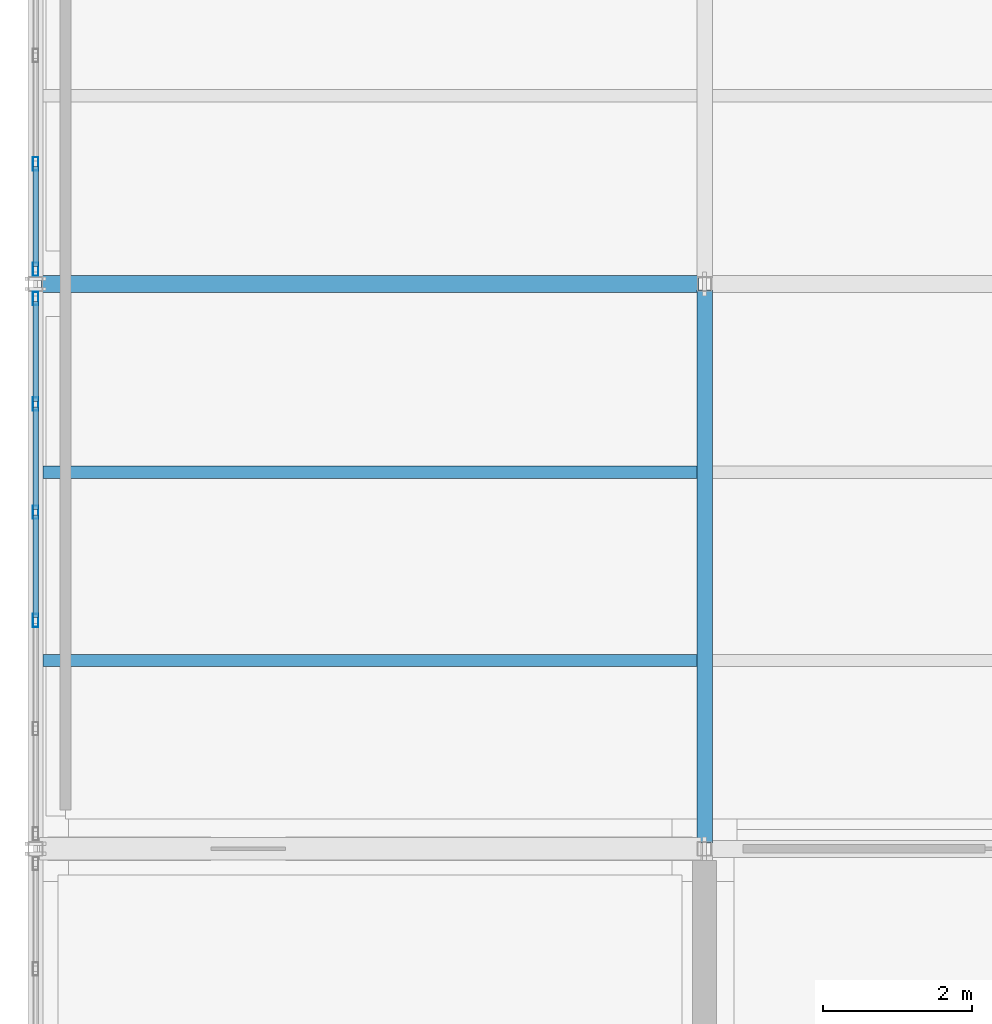
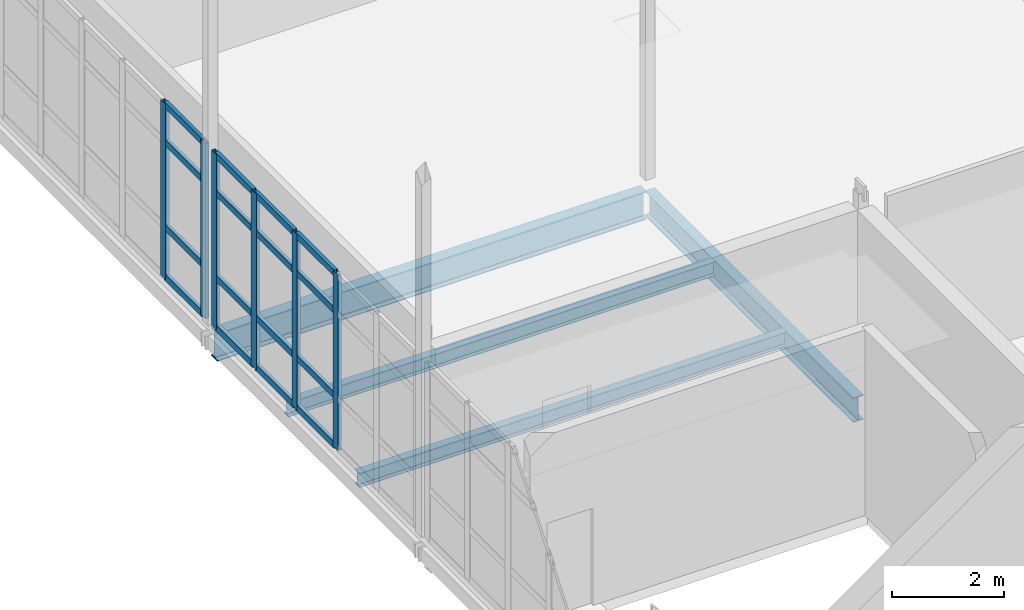
# One storey, part 20 of 96: 22 members, 4 beams, 2 elements without a shape of their own.
"""IFC4 building model written with IfcOpenShell, lengths in metres."""

from ifc_helpers import new_model, si_unit, direction, frame, origin, origin_2d, place, context, subcontext, project, spatial, hollow_rectangle, i_section, extrude, material, material_profile, profile_set, type_object, element, aggregate, save


model = new_model("IFC4")

# Units and contexts
model_context = context("Model", 3, precision=1e-05, world=origin(), true_north=direction((0.0, 1.0)))
body_context = subcontext(model_context, "Body", "Model", "MODEL_VIEW")
ifc_project = project(units=[si_unit("LENGTHUNIT", "METRE"), si_unit("AREAUNIT", "SQUARE_METRE"), si_unit("VOLUMEUNIT", "CUBIC_METRE"), si_unit("PLANEANGLEUNIT", "RADIAN"), si_unit("MASSUNIT", "GRAM", prefix="KILO")], contexts=[model_context])

# Site, building, storey
site_placement = place(None, origin())
site = spatial("IfcSite", under=ifc_project, at=site_placement, CompositionType="ELEMENT")
building_placement = place(site_placement, origin())
building = spatial("IfcBuilding", under=site, at=building_placement, Name="Caisbarro Railhouse Central Library", CompositionType="ELEMENT")
storey_placement = place(building_placement, frame((0.0, 0.0, 13.679931640625)))
storey = spatial("IfcBuildingStorey", under=building, at=storey_placement, Name="L03", CompositionType="ELEMENT", Elevation=13.679931640625)

# Beams
ifc_material_1 = material(Name="Steel ASTM A572 Grade 50", Category="steel")
ifc_material_profile_1 = material_profile(ifc_material_1, i_section(OverallWidth=0.22802734375, OverallDepth=0.60791015625, WebThickness=0.01123046875, FlangeThickness=0.017333984375, FilletRadius=0.02197265625, at=origin_2d()), Name="W610X113.0")
ifc_profile_set_1 = profile_set([ifc_material_profile_1], Name="Steel ASTM A572 Grade 50")
beam_type_1 = type_object("IfcBeamType", Name="BM-G04", PredefinedType="BEAM", material=ifc_profile_set_1)
beam_1_placement = place(storey_placement, frame((0.080078125, 45.60009765625, -0.52392578125), z_axis=(1.0, 0.0, 0.0), x_axis=(0.0, 1.0, 0.0)))
element("IfcBeam", 1, at=beam_1_placement, inside=storey, type_object=beam_type_1, Name="G04 beam L03 #1832", PredefinedType="BEAM", context=body_context, shape_type="SweptSolid", body=[
    extrude(i_section(OverallWidth=0.22802734375, OverallDepth=0.60791015625, WebThickness=0.01123046875, FlangeThickness=0.017333984375, FilletRadius=0.02197265625, at=origin_2d()), origin(), (0.0, 0.0, 1.0), 8.83984375),
])
ifc_material_profile_2 = material_profile(ifc_material_1, i_section(OverallWidth=0.208984375, OverallDepth=0.532958984375, WebThickness=0.01025390625, FlangeThickness=0.015625, FilletRadius=0.02001953125, at=origin_2d()), Name="W530X92.0")
ifc_profile_set_2 = profile_set([ifc_material_profile_2], Name="Steel ASTM A572 Grade 50")
beam_type_2 = type_object("IfcBeamType", Name="BM-G06", PredefinedType="BEAM", material=ifc_profile_set_2)
beam_2_placement = place(storey_placement, frame((9.0, 38.080078125, -0.486328125), z_axis=(0.0, 1.0, 0.0), x_axis=(-1.0, 0.0, 0.0)))
element("IfcBeam", 2, at=beam_2_placement, inside=storey, type_object=beam_type_2, Name="G06 beam L03 #1840", PredefinedType="BEAM", context=body_context, shape_type="SweptSolid", body=[
    extrude(i_section(OverallWidth=0.208984375, OverallDepth=0.532958984375, WebThickness=0.01025390625, FlangeThickness=0.015625, FilletRadius=0.02001953125, at=origin_2d()), origin(), (0.0, 0.0, 1.0), 7.43994140625),
])
ifc_material_profile_3 = material_profile(ifc_material_1, i_section(OverallWidth=0.1650390625, OverallDepth=0.31005859375, WebThickness=0.005859375, FlangeThickness=0.009765625, FilletRadius=0.011962890625, at=origin_2d()), Name="W310X38.7")
ifc_profile_set_3 = profile_set([ifc_material_profile_3], Name="Steel ASTM A572 Grade 50")
beam_type_3 = type_object("IfcBeamType", Name="BM-J03", PredefinedType="JOIST", material=ifc_profile_set_3)
for number, where, z_axis, x_axis, name in (
    (3, (0.10009765625, 40.533203125, -0.375), (1.0, 0.0, 0.0), (0.0, 1.0, 0.0), "J03 beam L03 #1845"),
    (4, (0.10009765625, 43.066650390625, -0.375), (1.0, 0.0, 0.0), (0.0, 1.0, 0.0), "J03 beam L03 #1846"),
):
    element("IfcBeam", number, at=place(storey_placement, frame(where, z_axis=z_axis, x_axis=x_axis)), inside=storey, type_object=beam_type_3, Name=name, PredefinedType="JOIST", context=body_context, shape_type="SweptSolid", body=[
        extrude(i_section(OverallWidth=0.1650390625, OverallDepth=0.31005859375, WebThickness=0.005859375, FlangeThickness=0.009765625, FilletRadius=0.011962890625, at=origin_2d()), origin(), (0.0, 0.0, 1.0), 8.79541015625),
    ])

# Curtain wall, members
ifc_material_2 = material(Name="Anodised architectural aluminium", Category="aluminium")
curtain_wall_type = type_object("IfcCurtainWallType", Name="CW-CW02", PredefinedType="NOTDEFINED", material=ifc_material_2)
curtain_wall_1_placement = place(storey_placement, origin())
curtain_wall_1 = element("IfcCurtainWall", 5, at=curtain_wall_1_placement, inside=storey, type_object=curtain_wall_type, Name="CW02 curtain wall L03 #49", PredefinedType="NOTDEFINED")
ifc_material_profile_4 = material_profile(ifc_material_2, hollow_rectangle(XDim=0.074951171875, YDim=0.179931640625, WallThickness=0.00439453125, at=origin_2d()), Name="ALU-MUL-75X180")
ifc_profile_set_4 = profile_set([ifc_material_profile_4], Name="Anodised architectural aluminium")
member_type_1 = type_object("IfcMemberType", Name="CWM-M01", PredefinedType="MULLION", material=ifc_profile_set_4)
member_1_placement = place(storey_placement, frame((0.0, 41.072021484375, 0.0), z_axis=(0.0, 0.0, 1.0), x_axis=(-1.0, 0.0, 0.0)))
member_1 = element("IfcMember", 6, at=member_1_placement, type_object=member_type_1, Name="CW02 mullion 3", PredefinedType="MULLION", context=body_context, shape_type="SweptSolid", body=[
    extrude(hollow_rectangle(XDim=0.074951171875, YDim=0.179931640625, WallThickness=0.00439453125, at=origin_2d()), origin(), (0.0, 0.0, 1.0), 3.820068359375),
])
member_2_placement = place(storey_placement, frame((0.0, 42.528076171875, 0.0), z_axis=(0.0, 0.0, 1.0), x_axis=(-1.0, 0.0, 0.0)))
member_2 = element("IfcMember", 7, at=member_2_placement, type_object=member_type_1, Name="CW02 mullion 4", PredefinedType="MULLION", context=body_context, shape_type="SweptSolid", body=[
    extrude(hollow_rectangle(XDim=0.074951171875, YDim=0.179931640625, WallThickness=0.00439453125, at=origin_2d()), origin(), (0.0, 0.0, 1.0), 3.820068359375),
])
member_3_placement = place(storey_placement, frame((0.0, 43.98388671875, 0.0), z_axis=(0.0, 0.0, 1.0), x_axis=(-1.0, 0.0, 0.0)))
member_3 = element("IfcMember", 8, at=member_3_placement, type_object=member_type_1, Name="CW02 mullion 5", PredefinedType="MULLION", context=body_context, shape_type="SweptSolid", body=[
    extrude(hollow_rectangle(XDim=0.074951171875, YDim=0.179931640625, WallThickness=0.00439453125, at=origin_2d()), origin(), (0.0, 0.0, 1.0), 3.820068359375),
])
member_4_placement = place(storey_placement, frame((0.0, 45.402587890625, 0.0), z_axis=(0.0, 0.0, 1.0), x_axis=(-1.0, 0.0, 0.0)))
member_4 = element("IfcMember", 9, at=member_4_placement, type_object=member_type_1, Name="CW02 mullion 6", PredefinedType="MULLION", context=body_context, shape_type="SweptSolid", body=[
    extrude(hollow_rectangle(XDim=0.074951171875, YDim=0.179931640625, WallThickness=0.00439453125, at=origin_2d()), origin(), (0.0, 0.0, 1.0), 3.820068359375),
])

curtain_wall_2_placement = place(storey_placement, origin())
curtain_wall_2 = element("IfcCurtainWall", 10, at=curtain_wall_2_placement, inside=storey, type_object=curtain_wall_type, Name="CW02 curtain wall L03 #50", PredefinedType="NOTDEFINED")
member_5_placement = place(storey_placement, frame((0.0, 45.797607421875, 0.0), z_axis=(0.0, 0.0, 1.0), x_axis=(-1.0, 0.0, 0.0)))
member_5 = element("IfcMember", 11, at=member_5_placement, type_object=member_type_1, Name="CW02 mullion 1", PredefinedType="MULLION", context=body_context, shape_type="SweptSolid", body=[
    extrude(hollow_rectangle(XDim=0.074951171875, YDim=0.179931640625, WallThickness=0.00439453125, at=origin_2d()), origin(), (0.0, 0.0, 1.0), 3.820068359375),
])
member_6_placement = place(storey_placement, frame((0.0, 47.216064453125, 0.0), z_axis=(0.0, 0.0, 1.0), x_axis=(-1.0, 0.0, 0.0)))
member_6 = element("IfcMember", 12, at=member_6_placement, type_object=member_type_1, Name="CW02 mullion 2", PredefinedType="MULLION", context=body_context, shape_type="SweptSolid", body=[
    extrude(hollow_rectangle(XDim=0.074951171875, YDim=0.179931640625, WallThickness=0.00439453125, at=origin_2d()), origin(), (0.0, 0.0, 1.0), 3.820068359375),
])

# Member
ifc_material_profile_5 = material_profile(ifc_material_2, hollow_rectangle(XDim=0.074951171875, YDim=0.139892578125, WallThickness=0.00390625, at=origin_2d()), Name="ALU-TRN-75X140")
ifc_profile_set_5 = profile_set([ifc_material_profile_5], Name="Anodised architectural aluminium")
member_type_2 = type_object("IfcMemberType", Name="CWT-T01", PredefinedType="USERDEFINED", material=ifc_profile_set_5)
member_7_placement = place(storey_placement, frame((0.0, 41.109619140625, 0.03759765625), z_axis=(0.0, 1.0, 0.0), x_axis=(-1.0, 0.0, 0.0)))
member_7 = element("IfcMember", 13, at=member_7_placement, type_object=member_type_2, Name="CW02 transom 3.1", ObjectType="TRANSOM", PredefinedType="USERDEFINED", context=body_context, shape_type="SweptSolid", body=[
    extrude(hollow_rectangle(XDim=0.074951171875, YDim=0.139892578125, WallThickness=0.00390625, at=origin_2d()), origin(), (0.0, 0.0, 1.0), 1.380859375),
])

member_8_placement = place(storey_placement, frame((0.0, 41.109619140625, 1.1201171875), z_axis=(0.0, 1.0, 0.0), x_axis=(-1.0, 0.0, 0.0)))
member_8 = element("IfcMember", 14, at=member_8_placement, type_object=member_type_2, Name="CW02 transom 3.2", ObjectType="TRANSOM", PredefinedType="USERDEFINED", context=body_context, shape_type="SweptSolid", body=[
    extrude(hollow_rectangle(XDim=0.074951171875, YDim=0.139892578125, WallThickness=0.00390625, at=origin_2d()), origin(), (0.0, 0.0, 1.0), 1.380859375),
])

member_9_placement = place(storey_placement, frame((0.0, 41.109619140625, 2.969970703125), z_axis=(0.0, 1.0, 0.0), x_axis=(-1.0, 0.0, 0.0)))
member_9 = element("IfcMember", 15, at=member_9_placement, type_object=member_type_2, Name="CW02 transom 3.3", ObjectType="TRANSOM", PredefinedType="USERDEFINED", context=body_context, shape_type="SweptSolid", body=[
    extrude(hollow_rectangle(XDim=0.074951171875, YDim=0.139892578125, WallThickness=0.00390625, at=origin_2d()), origin(), (0.0, 0.0, 1.0), 1.380859375),
])

member_10_placement = place(storey_placement, frame((0.0, 41.109619140625, 3.782470703125), z_axis=(0.0, 1.0, 0.0), x_axis=(-1.0, 0.0, 0.0)))
member_10 = element("IfcMember", 16, at=member_10_placement, type_object=member_type_2, Name="CW02 transom 3.4", ObjectType="TRANSOM", PredefinedType="USERDEFINED", context=body_context, shape_type="SweptSolid", body=[
    extrude(hollow_rectangle(XDim=0.074951171875, YDim=0.139892578125, WallThickness=0.00390625, at=origin_2d()), origin(), (0.0, 0.0, 1.0), 1.380859375),
])

member_11_placement = place(storey_placement, frame((0.0, 42.5654296875, 0.03759765625), z_axis=(0.0, 1.0, 0.0), x_axis=(-1.0, 0.0, 0.0)))
member_11 = element("IfcMember", 17, at=member_11_placement, type_object=member_type_2, Name="CW02 transom 4.1", ObjectType="TRANSOM", PredefinedType="USERDEFINED", context=body_context, shape_type="SweptSolid", body=[
    extrude(hollow_rectangle(XDim=0.074951171875, YDim=0.139892578125, WallThickness=0.00390625, at=origin_2d()), origin(), (0.0, 0.0, 1.0), 1.381103515625),
])

member_12_placement = place(storey_placement, frame((0.0, 42.5654296875, 1.1201171875), z_axis=(0.0, 1.0, 0.0), x_axis=(-1.0, 0.0, 0.0)))
member_12 = element("IfcMember", 18, at=member_12_placement, type_object=member_type_2, Name="CW02 transom 4.2", ObjectType="TRANSOM", PredefinedType="USERDEFINED", context=body_context, shape_type="SweptSolid", body=[
    extrude(hollow_rectangle(XDim=0.074951171875, YDim=0.139892578125, WallThickness=0.00390625, at=origin_2d()), origin(), (0.0, 0.0, 1.0), 1.381103515625),
])

member_13_placement = place(storey_placement, frame((0.0, 42.5654296875, 2.969970703125), z_axis=(0.0, 1.0, 0.0), x_axis=(-1.0, 0.0, 0.0)))
member_13 = element("IfcMember", 19, at=member_13_placement, type_object=member_type_2, Name="CW02 transom 4.3", ObjectType="TRANSOM", PredefinedType="USERDEFINED", context=body_context, shape_type="SweptSolid", body=[
    extrude(hollow_rectangle(XDim=0.074951171875, YDim=0.139892578125, WallThickness=0.00390625, at=origin_2d()), origin(), (0.0, 0.0, 1.0), 1.381103515625),
])

member_14_placement = place(storey_placement, frame((0.0, 42.5654296875, 3.782470703125), z_axis=(0.0, 1.0, 0.0), x_axis=(-1.0, 0.0, 0.0)))
member_14 = element("IfcMember", 20, at=member_14_placement, type_object=member_type_2, Name="CW02 transom 4.4", ObjectType="TRANSOM", PredefinedType="USERDEFINED", context=body_context, shape_type="SweptSolid", body=[
    extrude(hollow_rectangle(XDim=0.074951171875, YDim=0.139892578125, WallThickness=0.00390625, at=origin_2d()), origin(), (0.0, 0.0, 1.0), 1.381103515625),
])

member_15_placement = place(storey_placement, frame((0.0, 44.021484375, 0.03759765625), z_axis=(0.0, 1.0, 0.0), x_axis=(-1.0, 0.0, 0.0)))
member_15 = element("IfcMember", 21, at=member_15_placement, type_object=member_type_2, Name="CW02 transom 5.1", ObjectType="TRANSOM", PredefinedType="USERDEFINED", context=body_context, shape_type="SweptSolid", body=[
    extrude(hollow_rectangle(XDim=0.074951171875, YDim=0.139892578125, WallThickness=0.00390625, at=origin_2d()), origin(), (0.0, 0.0, 1.0), 1.343505859375),
])

member_16_placement = place(storey_placement, frame((0.0, 44.021484375, 1.1201171875), z_axis=(0.0, 1.0, 0.0), x_axis=(-1.0, 0.0, 0.0)))
member_16 = element("IfcMember", 22, at=member_16_placement, type_object=member_type_2, Name="CW02 transom 5.2", ObjectType="TRANSOM", PredefinedType="USERDEFINED", context=body_context, shape_type="SweptSolid", body=[
    extrude(hollow_rectangle(XDim=0.074951171875, YDim=0.139892578125, WallThickness=0.00390625, at=origin_2d()), origin(), (0.0, 0.0, 1.0), 1.343505859375),
])

member_17_placement = place(storey_placement, frame((0.0, 44.021484375, 2.969970703125), z_axis=(0.0, 1.0, 0.0), x_axis=(-1.0, 0.0, 0.0)))
member_17 = element("IfcMember", 23, at=member_17_placement, type_object=member_type_2, Name="CW02 transom 5.3", ObjectType="TRANSOM", PredefinedType="USERDEFINED", context=body_context, shape_type="SweptSolid", body=[
    extrude(hollow_rectangle(XDim=0.074951171875, YDim=0.139892578125, WallThickness=0.00390625, at=origin_2d()), origin(), (0.0, 0.0, 1.0), 1.343505859375),
])

member_18_placement = place(storey_placement, frame((0.0, 44.021484375, 3.782470703125), z_axis=(0.0, 1.0, 0.0), x_axis=(-1.0, 0.0, 0.0)))
member_18 = element("IfcMember", 24, at=member_18_placement, type_object=member_type_2, Name="CW02 transom 5.4", ObjectType="TRANSOM", PredefinedType="USERDEFINED", context=body_context, shape_type="SweptSolid", body=[
    extrude(hollow_rectangle(XDim=0.074951171875, YDim=0.139892578125, WallThickness=0.00390625, at=origin_2d()), origin(), (0.0, 0.0, 1.0), 1.343505859375),
])

aggregate(curtain_wall_1, [member_1, member_2, member_3, member_4, member_7, member_8, member_9, member_10, member_11, member_12, member_13, member_14, member_15, member_16, member_17, member_18])

member_19_placement = place(storey_placement, frame((0.0, 45.8349609375, 0.03759765625), z_axis=(0.0, 1.0, 0.0), x_axis=(-1.0, 0.0, 0.0)))
member_19 = element("IfcMember", 25, at=member_19_placement, type_object=member_type_2, Name="CW02 transom 1.1", ObjectType="TRANSOM", PredefinedType="USERDEFINED", context=body_context, shape_type="SweptSolid", body=[
    extrude(hollow_rectangle(XDim=0.074951171875, YDim=0.139892578125, WallThickness=0.00390625, at=origin_2d()), origin(), (0.0, 0.0, 1.0), 1.343505859375),
])

member_20_placement = place(storey_placement, frame((0.0, 45.8349609375, 1.1201171875), z_axis=(0.0, 1.0, 0.0), x_axis=(-1.0, 0.0, 0.0)))
member_20 = element("IfcMember", 26, at=member_20_placement, type_object=member_type_2, Name="CW02 transom 1.2", ObjectType="TRANSOM", PredefinedType="USERDEFINED", context=body_context, shape_type="SweptSolid", body=[
    extrude(hollow_rectangle(XDim=0.074951171875, YDim=0.139892578125, WallThickness=0.00390625, at=origin_2d()), origin(), (0.0, 0.0, 1.0), 1.343505859375),
])

member_21_placement = place(storey_placement, frame((0.0, 45.8349609375, 2.969970703125), z_axis=(0.0, 1.0, 0.0), x_axis=(-1.0, 0.0, 0.0)))
member_21 = element("IfcMember", 27, at=member_21_placement, type_object=member_type_2, Name="CW02 transom 1.3", ObjectType="TRANSOM", PredefinedType="USERDEFINED", context=body_context, shape_type="SweptSolid", body=[
    extrude(hollow_rectangle(XDim=0.074951171875, YDim=0.139892578125, WallThickness=0.00390625, at=origin_2d()), origin(), (0.0, 0.0, 1.0), 1.343505859375),
])

member_22_placement = place(storey_placement, frame((0.0, 45.8349609375, 3.782470703125), z_axis=(0.0, 1.0, 0.0), x_axis=(-1.0, 0.0, 0.0)))
member_22 = element("IfcMember", 28, at=member_22_placement, type_object=member_type_2, Name="CW02 transom 1.4", ObjectType="TRANSOM", PredefinedType="USERDEFINED", context=body_context, shape_type="SweptSolid", body=[
    extrude(hollow_rectangle(XDim=0.074951171875, YDim=0.139892578125, WallThickness=0.00390625, at=origin_2d()), origin(), (0.0, 0.0, 1.0), 1.343505859375),
])

aggregate(curtain_wall_2, [member_5, member_6, member_19, member_20, member_21, member_22])

save(model, "model.ifc")
